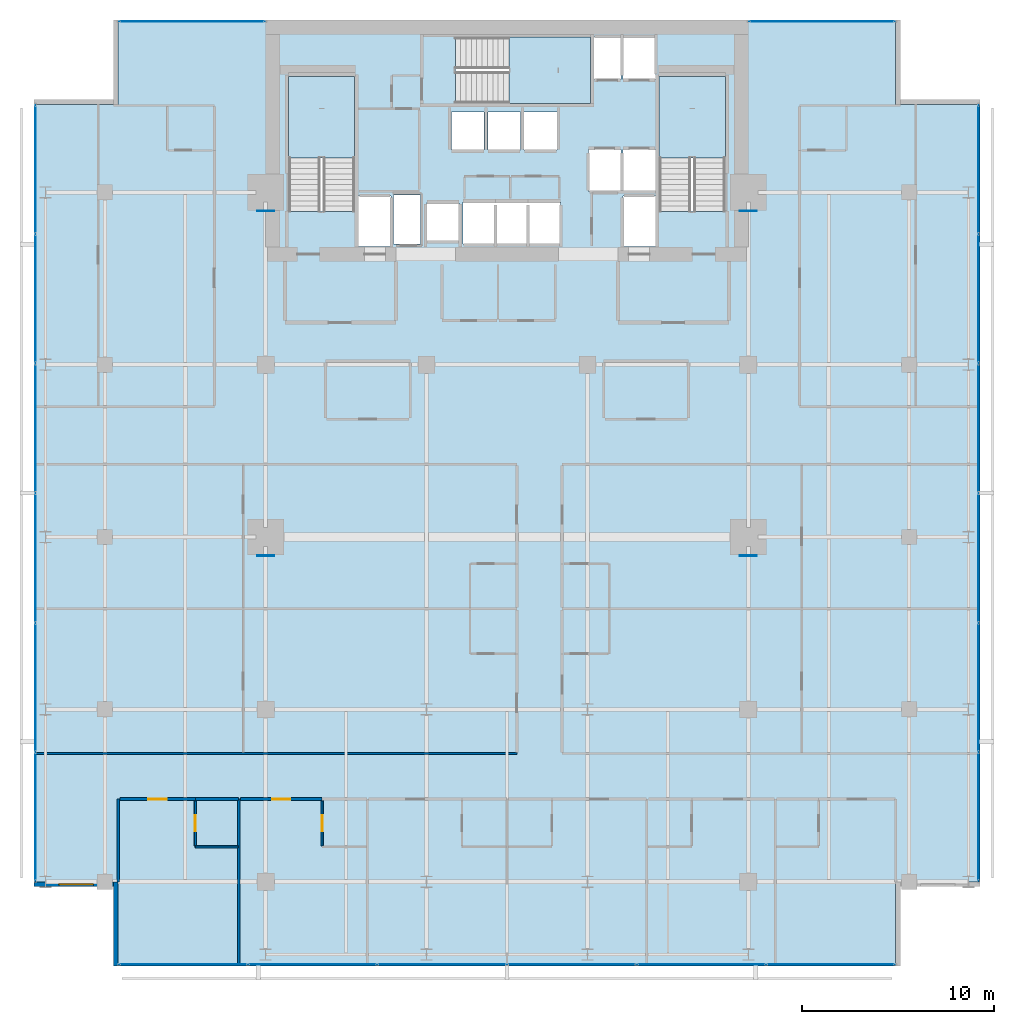
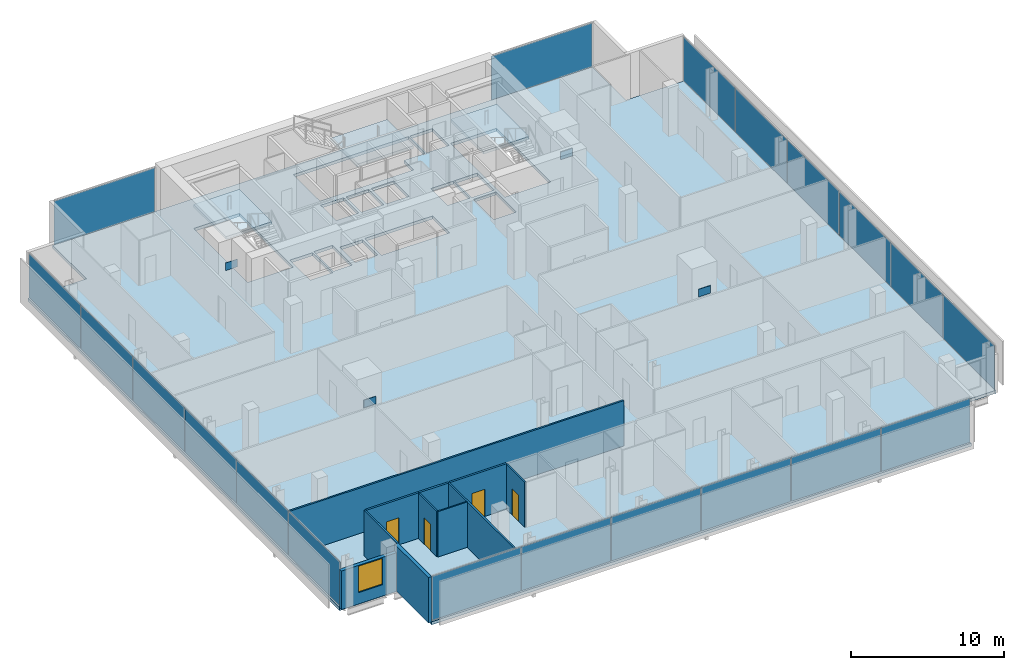
# One storey, part 26 of 33: 24 plates, 11 walls, 4 doors, 4 slabs, 1 window, 5 openings, 8 elements without a shape of their own.
"""IFC4 building model written with IfcOpenShell, lengths in metres."""

from ifc_helpers import new_model, si_unit, direction, frame, frame_2d, origin, origin_2d, place, context, subcontext, project, spatial, polyline, rectangle, outline, extrude, material, layer, layer_set, type_object, element, fill, aggregate, save


model = new_model("IFC4")

# Units and contexts
model_context = context("Model", 3, precision=1e-05, world=origin(), true_north=direction((0.0, 1.0)))
body_context = subcontext(model_context, "Body", "Model", "MODEL_VIEW")
ifc_project = project(units=[si_unit("LENGTHUNIT", "METRE"), si_unit("AREAUNIT", "SQUARE_METRE"), si_unit("VOLUMEUNIT", "CUBIC_METRE"), si_unit("PLANEANGLEUNIT", "RADIAN"), si_unit("MASSUNIT", "GRAM", prefix="KILO")], contexts=[model_context])

# Site, building, storey
site_placement = place(None, origin())
site = spatial("IfcSite", under=ifc_project, at=site_placement, CompositionType="ELEMENT")
building_placement = place(site_placement, origin())
building = spatial("IfcBuilding", under=site, at=building_placement, Name="Maruvema Waterfront Hotel and Observation Tower", CompositionType="ELEMENT")
storey_placement = place(building_placement, frame((0.0, 0.0, 204.39990234375)))
storey = spatial("IfcBuildingStorey", under=building, at=storey_placement, Name="L50", CompositionType="ELEMENT", Elevation=204.39990234375)

# Slab
ifc_material_1 = material(Name="Concrete C50/60", Category="concrete")
ifc_layer_1 = layer(ifc_material_1, 0.239990234375, Name="Reinforced Concrete Floor Slab 240 mm")
ifc_layer_set_1 = layer_set([ifc_layer_1], Name="Concrete C50/60")
slab_type_1 = type_object("IfcSlabType", Name="Reinforced Concrete Floor Slab 240 mm", PredefinedType="FLOOR", material=ifc_layer_set_1)
slab_1_placement = place(storey_placement, frame((0.0, 0.0, -0.239990234375)))
element("IfcSlab", 1, at=slab_1_placement, inside=storey, type_object=slab_type_1, Name="L50 Structural Floor Slab", PredefinedType="FLOOR", context=body_context, shape_type="SweptSolid", body=[
    extrude(outline(polyline([(17.5, 4.60009765625), (58.10009765625, 4.60009765625), (58.10009765625, 9.0), (62.5, 9.0), (62.5, 49.60009765625), (58.10009765625, 49.60009765625), (58.10009765625, 54.0), (17.5, 54.0), (17.5, 49.60009765625), (13.10009765625, 49.60009765625), (13.10009765625, 9.0), (17.5, 9.0), (17.5, 4.60009765625)]), holes=[polyline([(26.39990234375, 44.00048828125), (26.39990234375, 51.050048828125), (29.85009765625, 51.050048828125), (29.85009765625, 44.00048828125), (26.39990234375, 44.00048828125)]), polyline([(30.050048828125, 44.800048828125), (31.75, 44.800048828125), (31.75, 42.169921875), (30.050048828125, 42.169921875), (30.050048828125, 44.800048828125)]), polyline([(31.8798828125, 44.860107421875), (33.280029296875, 44.860107421875), (33.280029296875, 42.2900390625), (31.8798828125, 42.2900390625), (31.8798828125, 44.860107421875)]), polyline([(33.60009765625, 44.449951171875), (35.300048828125, 44.449951171875), (35.300048828125, 42.449951171875), (33.60009765625, 42.449951171875), (33.60009765625, 44.449951171875)]), polyline([(34.89990234375, 49.199951171875), (36.60009765625, 49.199951171875), (36.60009765625, 47.199951171875), (34.89990234375, 47.199951171875), (34.89990234375, 49.199951171875)]), polyline([(36.800048828125, 49.199951171875), (38.5, 49.199951171875), (38.5, 47.199951171875), (36.800048828125, 47.199951171875), (36.800048828125, 49.199951171875)]), polyline([(35.5, 42.300048828125), (35.5, 44.5), (40.60009765625, 44.5), (40.60009765625, 42.300048828125), (35.5, 42.300048828125)]), polyline([(35.1005859375, 53.10009765625), (43.75, 53.10009765625), (43.75, 50.89990234375), (42.14990234375, 50.89990234375), (42.14990234375, 49.64990234375), (35.1005859375, 49.64990234375), (35.1005859375, 53.10009765625)]), polyline([(38.699951171875, 49.199951171875), (40.39990234375, 49.199951171875), (40.39990234375, 47.199951171875), (38.699951171875, 47.199951171875), (38.699951171875, 49.199951171875)]), polyline([(42.050048828125, 47.25), (43.75, 47.25), (43.75, 45.050048828125), (42.050048828125, 45.050048828125), (42.050048828125, 47.25)]), polyline([(43.85009765625, 44.800048828125), (45.550048828125, 44.800048828125), (45.550048828125, 42.169921875), (43.85009765625, 42.169921875), (43.85009765625, 44.800048828125)]), polyline([(43.85009765625, 47.25), (45.550048828125, 47.25), (45.550048828125, 45.050048828125), (43.85009765625, 45.050048828125), (43.85009765625, 47.25)]), polyline([(45.550048828125, 53.10009765625), (45.550048828125, 50.89990234375), (43.85009765625, 50.89990234375), (43.85009765625, 53.10009765625), (45.550048828125, 53.10009765625)]), polyline([(45.75, 44.00048828125), (45.75, 51.050048828125), (49.199951171875, 51.050048828125), (49.199951171875, 44.00048828125), (45.75, 44.00048828125)])]), origin(), (0.0, 0.0, 1.0), 0.239990234375),
])

# Curtain wall, plates
ifc_material_2 = material(Name="Anodised bronze aluminium and solar-control low-E IGU", Category="aluminium")
ifc_layer_2 = layer(ifc_material_2, 0.159912109375, Name="Zone 2 Amber Inner Thermal Curtain Wall System CW-03")
ifc_layer_set_2 = layer_set([ifc_layer_2], Name="Anodised bronze aluminium and solar-control low-E IGU")
curtain_wall_type = type_object("IfcCurtainWallType", Name="Zone 2 Amber Inner Thermal Curtain Wall System CW-03", PredefinedType="USERDEFINED", material=ifc_layer_set_2)
curtain_wall_1_placement = place(storey_placement, origin())
curtain_wall_1 = element("IfcCurtainWall", 2, at=curtain_wall_1_placement, inside=storey, type_object=curtain_wall_type, Name="L50 Curtain Wall CW-L50-S", ObjectType="UNITISED CURTAIN WALL", PredefinedType="USERDEFINED")
ifc_material_3 = material(Name="Laminated low-E solar-control double glazing", Category="glass")
ifc_layer_3 = layer(ifc_material_3, 0.035888671875, Name="Solar Control Double-Glazed Curtain Panel 36 mm")
ifc_layer_set_3 = layer_set([ifc_layer_3], Name="Laminated low-E solar-control double glazing")
plate_type_1 = type_object("IfcPlateType", Name="Solar Control Double-Glazed Curtain Panel 36 mm", PredefinedType="CURTAIN_PANEL", material=ifc_layer_set_3)
plate_1_placement = place(storey_placement, frame((20.8984375, 4.679931640625, 0.06005859375), z_axis=(0.0, 0.0, 1.0), x_axis=(1.0, 0.0, 0.0)))
plate_1 = element("IfcPlate", 3, at=plate_1_placement, type_object=plate_type_1, Name="CW-03 panel 1.1", PredefinedType="CURTAIN_PANEL", context=body_context, shape_type="SweptSolid", body=[
    extrude(rectangle(XDim=6.6767578125, YDim=0.028076171875, at=origin_2d()), origin(), (0.0, 0.0, 1.0), 3.489990234375),
])
plate_2_placement = place(storey_placement, frame((27.64990234375, 4.679931640625, 0.06005859375), z_axis=(0.0, 0.0, 1.0), x_axis=(1.0, 0.0, 0.0)))
plate_2 = element("IfcPlate", 4, at=plate_2_placement, type_object=plate_type_1, Name="CW-03 panel 2.1", PredefinedType="CURTAIN_PANEL", context=body_context, shape_type="SweptSolid", body=[
    extrude(rectangle(XDim=6.706787109375, YDim=0.028076171875, at=origin_2d()), origin(), (0.0, 0.0, 1.0), 3.489990234375),
])
plate_3_placement = place(storey_placement, frame((34.416748046875, 4.679931640625, 0.06005859375), z_axis=(0.0, 0.0, 1.0), x_axis=(1.0, 0.0, 0.0)))
plate_3 = element("IfcPlate", 5, at=plate_3_placement, type_object=plate_type_1, Name="CW-03 panel 3.1", PredefinedType="CURTAIN_PANEL", context=body_context, shape_type="SweptSolid", body=[
    extrude(rectangle(XDim=6.706787109375, YDim=0.028076171875, at=origin_2d()), origin(), (0.0, 0.0, 1.0), 3.489990234375),
])
plate_4_placement = place(storey_placement, frame((41.183349609375, 4.679931640625, 0.06005859375), z_axis=(0.0, 0.0, 1.0), x_axis=(1.0, 0.0, 0.0)))
plate_4 = element("IfcPlate", 6, at=plate_4_placement, type_object=plate_type_1, Name="CW-03 panel 4.1", PredefinedType="CURTAIN_PANEL", context=body_context, shape_type="SweptSolid", body=[
    extrude(rectangle(XDim=6.706787109375, YDim=0.028076171875, at=origin_2d()), origin(), (0.0, 0.0, 1.0), 3.489990234375),
])
plate_5_placement = place(storey_placement, frame((47.949951171875, 4.679931640625, 0.06005859375), z_axis=(0.0, 0.0, 1.0), x_axis=(1.0, 0.0, 0.0)))
plate_5 = element("IfcPlate", 7, at=plate_5_placement, type_object=plate_type_1, Name="CW-03 panel 5.1", PredefinedType="CURTAIN_PANEL", context=body_context, shape_type="SweptSolid", body=[
    extrude(rectangle(XDim=6.706787109375, YDim=0.028076171875, at=origin_2d()), origin(), (0.0, 0.0, 1.0), 3.489990234375),
])
plate_6_placement = place(storey_placement, frame((54.70166015625, 4.679931640625, 0.06005859375), z_axis=(0.0, 0.0, 1.0), x_axis=(1.0, 0.0, 0.0)))
plate_6 = element("IfcPlate", 8, at=plate_6_placement, type_object=plate_type_1, Name="CW-03 panel 6.1", PredefinedType="CURTAIN_PANEL", context=body_context, shape_type="SweptSolid", body=[
    extrude(rectangle(XDim=6.6767578125, YDim=0.028076171875, at=origin_2d()), origin(), (0.0, 0.0, 1.0), 3.489990234375),
])
aggregate(curtain_wall_1, [plate_1, plate_2, plate_3, plate_4, plate_5, plate_6])

curtain_wall_2_placement = place(storey_placement, origin())
curtain_wall_2 = element("IfcCurtainWall", 9, at=curtain_wall_2_placement, inside=storey, type_object=curtain_wall_type, Name="L50 Curtain Wall CW-L50-E", ObjectType="UNITISED CURTAIN WALL", PredefinedType="USERDEFINED")
plate_7_placement = place(storey_placement, frame((62.419921875, 12.3984375, 0.06005859375), z_axis=(0.0, 0.0, 1.0), x_axis=(0.0, 1.0, 0.0)))
plate_7 = element("IfcPlate", 10, at=plate_7_placement, type_object=plate_type_1, Name="CW-03 panel 1.1", PredefinedType="CURTAIN_PANEL", context=body_context, shape_type="SweptSolid", body=[
    extrude(rectangle(XDim=6.6767578125, YDim=0.028076171875, at=origin_2d()), origin(), (0.0, 0.0, 1.0), 3.489990234375),
])
plate_8_placement = place(storey_placement, frame((62.419921875, 19.14990234375, 0.06005859375), z_axis=(0.0, 0.0, 1.0), x_axis=(0.0, 1.0, 0.0)))
plate_8 = element("IfcPlate", 11, at=plate_8_placement, type_object=plate_type_1, Name="CW-03 panel 2.1", PredefinedType="CURTAIN_PANEL", context=body_context, shape_type="SweptSolid", body=[
    extrude(rectangle(XDim=6.706787109375, YDim=0.028076171875, at=origin_2d()), origin(), (0.0, 0.0, 1.0), 3.489990234375),
])
plate_9_placement = place(storey_placement, frame((62.419921875, 25.916748046875, 0.06005859375), z_axis=(0.0, 0.0, 1.0), x_axis=(0.0, 1.0, 0.0)))
plate_9 = element("IfcPlate", 12, at=plate_9_placement, type_object=plate_type_1, Name="CW-03 panel 3.1", PredefinedType="CURTAIN_PANEL", context=body_context, shape_type="SweptSolid", body=[
    extrude(rectangle(XDim=6.706787109375, YDim=0.028076171875, at=origin_2d()), origin(), (0.0, 0.0, 1.0), 3.489990234375),
])
plate_10_placement = place(storey_placement, frame((62.419921875, 32.683349609375, 0.06005859375), z_axis=(0.0, 0.0, 1.0), x_axis=(0.0, 1.0, 0.0)))
plate_10 = element("IfcPlate", 13, at=plate_10_placement, type_object=plate_type_1, Name="CW-03 panel 4.1", PredefinedType="CURTAIN_PANEL", context=body_context, shape_type="SweptSolid", body=[
    extrude(rectangle(XDim=6.706787109375, YDim=0.028076171875, at=origin_2d()), origin(), (0.0, 0.0, 1.0), 3.489990234375),
])
plate_11_placement = place(storey_placement, frame((62.419921875, 39.449951171875, 0.06005859375), z_axis=(0.0, 0.0, 1.0), x_axis=(0.0, 1.0, 0.0)))
plate_11 = element("IfcPlate", 14, at=plate_11_placement, type_object=plate_type_1, Name="CW-03 panel 5.1", PredefinedType="CURTAIN_PANEL", context=body_context, shape_type="SweptSolid", body=[
    extrude(rectangle(XDim=6.706787109375, YDim=0.028076171875, at=origin_2d()), origin(), (0.0, 0.0, 1.0), 3.489990234375),
])
plate_12_placement = place(storey_placement, frame((62.419921875, 46.20166015625, 0.06005859375), z_axis=(0.0, 0.0, 1.0), x_axis=(0.0, 1.0, 0.0)))
plate_12 = element("IfcPlate", 15, at=plate_12_placement, type_object=plate_type_1, Name="CW-03 panel 6.1", PredefinedType="CURTAIN_PANEL", context=body_context, shape_type="SweptSolid", body=[
    extrude(rectangle(XDim=6.6767578125, YDim=0.028076171875, at=origin_2d()), origin(), (0.0, 0.0, 1.0), 3.489990234375),
])
aggregate(curtain_wall_2, [plate_7, plate_8, plate_9, plate_10, plate_11, plate_12])

curtain_wall_3_placement = place(storey_placement, origin())
curtain_wall_3 = element("IfcCurtainWall", 16, at=curtain_wall_3_placement, inside=storey, type_object=curtain_wall_type, Name="L50 Curtain Wall CW-L50-W", ObjectType="UNITISED CURTAIN WALL", PredefinedType="USERDEFINED")
plate_13_placement = place(storey_placement, frame((13.179931640625, 46.20166015625, 0.06005859375), z_axis=(0.0, 0.0, 1.0), x_axis=(0.0, -1.0, 0.0)))
plate_13 = element("IfcPlate", 17, at=plate_13_placement, type_object=plate_type_1, Name="CW-03 panel 1.1", PredefinedType="CURTAIN_PANEL", context=body_context, shape_type="SweptSolid", body=[
    extrude(rectangle(XDim=6.6767578125, YDim=0.028076171875, at=origin_2d()), origin(), (0.0, 0.0, 1.0), 3.489990234375),
])
plate_14_placement = place(storey_placement, frame((13.179931640625, 39.449951171875, 0.06005859375), z_axis=(0.0, 0.0, 1.0), x_axis=(0.0, -1.0, 0.0)))
plate_14 = element("IfcPlate", 18, at=plate_14_placement, type_object=plate_type_1, Name="CW-03 panel 2.1", PredefinedType="CURTAIN_PANEL", context=body_context, shape_type="SweptSolid", body=[
    extrude(rectangle(XDim=6.706787109375, YDim=0.028076171875, at=origin_2d()), origin(), (0.0, 0.0, 1.0), 3.489990234375),
])
plate_15_placement = place(storey_placement, frame((13.179931640625, 32.683349609375, 0.06005859375), z_axis=(0.0, 0.0, 1.0), x_axis=(0.0, -1.0, 0.0)))
plate_15 = element("IfcPlate", 19, at=plate_15_placement, type_object=plate_type_1, Name="CW-03 panel 3.1", PredefinedType="CURTAIN_PANEL", context=body_context, shape_type="SweptSolid", body=[
    extrude(rectangle(XDim=6.706787109375, YDim=0.028076171875, at=origin_2d()), origin(), (0.0, 0.0, 1.0), 3.489990234375),
])
plate_16_placement = place(storey_placement, frame((13.179931640625, 25.916748046875, 0.06005859375), z_axis=(0.0, 0.0, 1.0), x_axis=(0.0, -1.0, 0.0)))
plate_16 = element("IfcPlate", 20, at=plate_16_placement, type_object=plate_type_1, Name="CW-03 panel 4.1", PredefinedType="CURTAIN_PANEL", context=body_context, shape_type="SweptSolid", body=[
    extrude(rectangle(XDim=6.706787109375, YDim=0.028076171875, at=origin_2d()), origin(), (0.0, 0.0, 1.0), 3.489990234375),
])
plate_17_placement = place(storey_placement, frame((13.179931640625, 19.14990234375, 0.06005859375), z_axis=(0.0, 0.0, 1.0), x_axis=(0.0, -1.0, 0.0)))
plate_17 = element("IfcPlate", 21, at=plate_17_placement, type_object=plate_type_1, Name="CW-03 panel 5.1", PredefinedType="CURTAIN_PANEL", context=body_context, shape_type="SweptSolid", body=[
    extrude(rectangle(XDim=6.706787109375, YDim=0.028076171875, at=origin_2d()), origin(), (0.0, 0.0, 1.0), 3.489990234375),
])
plate_18_placement = place(storey_placement, frame((13.179931640625, 12.3984375, 0.06005859375), z_axis=(0.0, 0.0, 1.0), x_axis=(0.0, -1.0, 0.0)))
plate_18 = element("IfcPlate", 22, at=plate_18_placement, type_object=plate_type_1, Name="CW-03 panel 6.1", PredefinedType="CURTAIN_PANEL", context=body_context, shape_type="SweptSolid", body=[
    extrude(rectangle(XDim=6.6767578125, YDim=0.028076171875, at=origin_2d()), origin(), (0.0, 0.0, 1.0), 3.489990234375),
])
aggregate(curtain_wall_3, [plate_13, plate_14, plate_15, plate_16, plate_17, plate_18])

# Curtain wall, plate
curtain_wall_4_placement = place(storey_placement, origin())
curtain_wall_4 = element("IfcCurtainWall", 23, at=curtain_wall_4_placement, inside=storey, type_object=curtain_wall_type, Name="L50 Curtain Wall CW-L50-NW", ObjectType="UNITISED CURTAIN WALL", PredefinedType="USERDEFINED")
plate_19_placement = place(storey_placement, frame((21.35009765625, 53.919921875, 0.06005859375), z_axis=(0.0, 0.0, 1.0), x_axis=(-1.0, 0.0, 0.0)))
plate_19 = element("IfcPlate", 24, at=plate_19_placement, type_object=plate_type_1, Name="CW-03 panel 1.1", PredefinedType="CURTAIN_PANEL", context=body_context, shape_type="SweptSolid", body=[
    extrude(rectangle(XDim=7.580078125, YDim=0.028076171875, at=origin_2d()), origin(), (0.0, 0.0, 1.0), 3.489990234375),
])
aggregate(curtain_wall_4, [plate_19])

curtain_wall_5_placement = place(storey_placement, origin())
curtain_wall_5 = element("IfcCurtainWall", 25, at=curtain_wall_5_placement, inside=storey, type_object=curtain_wall_type, Name="L50 Curtain Wall CW-L50-NE", ObjectType="UNITISED CURTAIN WALL", PredefinedType="USERDEFINED")
plate_20_placement = place(storey_placement, frame((54.25, 53.919921875, 0.06005859375), z_axis=(0.0, 0.0, 1.0), x_axis=(-1.0, 0.0, 0.0)))
plate_20 = element("IfcPlate", 26, at=plate_20_placement, type_object=plate_type_1, Name="CW-03 panel 1.1", PredefinedType="CURTAIN_PANEL", context=body_context, shape_type="SweptSolid", body=[
    extrude(rectangle(XDim=7.580078125, YDim=0.028076171875, at=origin_2d()), origin(), (0.0, 0.0, 1.0), 3.489990234375),
])
aggregate(curtain_wall_5, [plate_20])

# Stair, slab
ifc_material_4 = material(Name="Concrete C50/60", Category="concrete")
stair_type = type_object("IfcStairType", Name="Dogleg Exit Stair 1650 mm (22R x 175.0 mm)", PredefinedType="HALF_TURN_STAIR", material=ifc_material_4)
stair_1_placement = place(storey_placement, origin())
stair_1 = element("IfcStair", 27, at=stair_1_placement, inside=storey, type_object=stair_type, Name="L50 ST-01", PredefinedType="HALF_TURN_STAIR")
ifc_material_5 = material(Name="Concrete C50/60", Category="concrete")
ifc_layer_4 = layer(ifc_material_5, 0.219970703125, Name="Stair Concrete Landing Slab 220 mm")
ifc_layer_set_4 = layer_set([ifc_layer_4], Name="Concrete C50/60")
slab_type_2 = type_object("IfcSlabType", Name="Stair Concrete Landing Slab 220 mm", PredefinedType="LANDING", material=ifc_layer_set_4)
slab_2_placement = place(storey_placement, frame((0.0, 0.0, 1.705078125)))
slab_2 = element("IfcSlab", 28, at=slab_2_placement, type_object=slab_type_2, Name="ST-01 landing 1", PredefinedType="LANDING", context=body_context, shape_type="SweptSolid", body=[
    extrude(outline(polyline([(29.85009765625, 46.800048828125), (29.85009765625, 51.050048828125), (26.39990234375, 51.050048828125), (26.39990234375, 46.800048828125), (29.85009765625, 46.800048828125)])), origin(), (0.0, 0.0, 1.0), 0.219970703125),
])
aggregate(stair_1, [slab_2])

stair_2_placement = place(storey_placement, origin())
stair_2 = element("IfcStair", 29, at=stair_2_placement, inside=storey, type_object=stair_type, Name="L50 ST-02", PredefinedType="HALF_TURN_STAIR")
slab_3_placement = place(storey_placement, frame((0.0, 0.0, 1.705078125)))
slab_3 = element("IfcSlab", 30, at=slab_3_placement, type_object=slab_type_2, Name="ST-02 landing 1", PredefinedType="LANDING", context=body_context, shape_type="SweptSolid", body=[
    extrude(outline(polyline([(37.89990234375, 49.64990234375), (42.14990234375, 49.64990234375), (42.14990234375, 53.10009765625), (37.89990234375, 53.10009765625), (37.89990234375, 49.64990234375)])), origin(), (0.0, 0.0, 1.0), 0.219970703125),
])
aggregate(stair_2, [slab_3])

stair_3_placement = place(storey_placement, origin())
stair_3 = element("IfcStair", 31, at=stair_3_placement, inside=storey, type_object=stair_type, Name="L50 ST-03", PredefinedType="HALF_TURN_STAIR")
slab_4_placement = place(storey_placement, frame((0.0, 0.0, 1.705078125)))
slab_4 = element("IfcSlab", 32, at=slab_4_placement, type_object=slab_type_2, Name="ST-03 landing 1", PredefinedType="LANDING", context=body_context, shape_type="SweptSolid", body=[
    extrude(outline(polyline([(49.199951171875, 46.800048828125), (49.199951171875, 51.050048828125), (45.75, 51.050048828125), (45.75, 46.800048828125), (49.199951171875, 46.800048828125)])), origin(), (0.0, 0.0, 1.0), 0.219970703125),
])
aggregate(stair_3, [slab_4])

# Plates
ifc_material_6 = material(Name="Steel ABNT NBR 7007 AR 415 (ASTM A572 Grade 50)", Category="steel")
ifc_layer_5 = layer(ifc_material_6, 0.0400390625, Name="Structural Truss Node Gusset Plate 40 mm")
ifc_layer_set_5 = layer_set([ifc_layer_5], Name="Steel ABNT NBR 7007 AR 415 (ASTM A572 Grade 50)")
plate_type_2 = type_object("IfcPlateType", Name="Structural Truss Node Gusset Plate 40 mm", PredefinedType="USERDEFINED", material=ifc_layer_set_5)
for number, where, z_axis, x_axis, name in (
    (33, (25.199951171875, 26.030029296875, 1.5), (0.0, 0.0, 1.0), (1.0, 0.0, 0.0), "L50 MC-01 Moment Frame Continuity Gusset Plate"),
    (34, (50.39990234375, 26.030029296875, 1.5), (0.0, 0.0, 1.0), (1.0, 0.0, 0.0), "L50 MC-02 Moment Frame Continuity Gusset Plate"),
    (35, (25.199951171875, 44.030029296875, 1.5), (0.0, 0.0, 1.0), (1.0, 0.0, 0.0), "L50 MC-03 Moment Frame Continuity Gusset Plate"),
    (36, (50.39990234375, 44.030029296875, 1.5), (0.0, 0.0, 1.0), (1.0, 0.0, 0.0), "L50 MC-04 Moment Frame Continuity Gusset Plate"),
):
    element("IfcPlate", number, at=place(storey_placement, frame(where, z_axis=z_axis, x_axis=x_axis)), inside=storey, type_object=plate_type_2, Name=name, ObjectType="GUSSET_PLATE", PredefinedType="USERDEFINED", context=body_context, shape_type="SweptSolid", body=[
        extrude(rectangle(XDim=0.89990234375, YDim=0.0400390625, at=origin_2d()), origin(), (0.0, 0.0, 1.0), 0.60009765625),
    ])

# Wall
ifc_material_7 = material(Name="Twin-stud acoustic gypsum drywall", Category="gypsum")
ifc_layer_6 = layer(ifc_material_7, 0.14990234375, Name="Acoustic Corridor and Suite Demising Wall 150 mm")
ifc_layer_set_6 = layer_set([ifc_layer_6], Name="Twin-stud acoustic gypsum drywall")
wall_type_1 = type_object("IfcWallType", Name="Acoustic Corridor and Suite Demising Wall 150 mm", PredefinedType="PARTITIONING", material=ifc_layer_set_6)
wall_1_placement = place(storey_placement, frame((21.530029296875, 13.320068359375, 0.0), z_axis=(0.0, 0.0, 1.0), x_axis=(1.0, 0.0, 0.0)))
element("IfcWall", 37, at=wall_1_placement, inside=storey, type_object=wall_type_1, Name="L50 Bath L50-S1 Back Wall 037", PredefinedType="PARTITIONING", context=body_context, shape_type="SweptSolid", body=[
    extrude(rectangle(XDim=2.25, YDim=0.14990234375, at=frame_2d((1.125, 0.0))), origin(), (0.0, 0.0, 1.0), 3.610107421875),
])

# Wall, opening, door
wall_2_placement = place(storey_placement, frame((17.580078125, 13.320068359375, 0.0), z_axis=(0.0, 0.0, 1.0), x_axis=(1.0, 0.0, 0.0)))
wall_2 = element("IfcWall", 38, at=wall_2_placement, inside=storey, type_object=wall_type_1, Name="L50 Unit L50-S1 Corridor Wall 040", PredefinedType="PARTITIONING", context=body_context, shape_type="SweptSolid", body=[
    extrude(rectangle(XDim=3.949951171875, YDim=0.14990234375, at=frame_2d((1.97509765625, 0.0))), origin(), (0.0, 0.0, 1.0), 3.610107421875),
])
opening_1_placement = place(wall_2_placement, frame((1.5, 0.0, 0.0)))
opening_1 = element("IfcOpeningElement", 39, at=opening_1_placement, cuts=wall_2, Name="Opening DR-095", PredefinedType="OPENING", context=body_context, shape_type="SweptSolid", body=[
    extrude(rectangle(XDim=0.949951171875, YDim=2.14990234375, at=frame_2d((0.47509765625, 1.074951171875))), frame((0.0, 0.0849609375, 0.0), z_axis=(0.0, -1.0, 0.0), x_axis=(1.0, 0.0, 0.0)), (0.0, 0.0, 1.0), 0.169921875),
])
ifc_material_8 = material(Name="Acoustic solid-core hardwood timber leaf", Category="wood")
door_type_1 = type_object("IfcDoorType", Name="Guestroom Entrance Fire Door 950x2150 mm", OperationType="NOTDEFINED", PredefinedType="DOOR", material=ifc_material_8)
door_1_placement = place(opening_1_placement, frame((0.949951171875, 0.0, 0.0), z_axis=(0.0, 0.0, 1.0), x_axis=(-1.0, 0.0, 0.0)))
door_1 = element("IfcDoor", 40, at=door_1_placement, inside=storey, type_object=door_type_1, Name="L50 Unit L50-S1 Entrance Door", OperationType="SINGLE_SWING_LEFT", OverallHeight=2.14990234375, OverallWidth=0.949951171875, PredefinedType="DOOR", context=body_context, shape_type="SweptSolid", body=[
    extrude(rectangle(XDim=0.949951171875, YDim=2.14990234375, at=frame_2d((0.47509765625, 1.074951171875))), frame((0.0, 0.02490234375, 0.0), z_axis=(0.0, -1.0, 0.0), x_axis=(1.0, 0.0, 0.0)), (0.0, 0.0, 1.0), 0.050048828125),
])
fill(opening_1, door_1)

wall_3_placement = place(storey_placement, frame((23.8798828125, 13.320068359375, 0.0), z_axis=(0.0, 0.0, 1.0), x_axis=(1.0, 0.0, 0.0)))
wall_3 = element("IfcWall", 41, at=wall_3_placement, inside=storey, type_object=wall_type_1, Name="L50 Unit L50-S2 Corridor Wall 045", PredefinedType="PARTITIONING", context=body_context, shape_type="SweptSolid", body=[
    extrude(rectangle(XDim=4.27001953125, YDim=0.14990234375, at=frame_2d((2.135009765625, 0.0))), origin(), (0.0, 0.0, 1.0), 3.610107421875),
])
opening_2_placement = place(wall_3_placement, frame((1.659912109375, 0.0, 0.0)))
opening_2 = element("IfcOpeningElement", 42, at=opening_2_placement, cuts=wall_3, Name="Opening DR-095", PredefinedType="OPENING", context=body_context, shape_type="SweptSolid", body=[
    extrude(rectangle(XDim=0.949951171875, YDim=2.14990234375, at=frame_2d((0.47509765625, 1.074951171875))), frame((0.0, 0.0849609375, 0.0), z_axis=(0.0, -1.0, 0.0), x_axis=(1.0, 0.0, 0.0)), (0.0, 0.0, 1.0), 0.169921875),
])
door_2_placement = place(opening_2_placement, frame((0.949951171875, 0.0, 0.0), z_axis=(0.0, 0.0, 1.0), x_axis=(-1.0, 0.0, 0.0)))
door_2 = element("IfcDoor", 43, at=door_2_placement, inside=storey, type_object=door_type_1, Name="L50 Unit L50-S2 Entrance Door", OperationType="SINGLE_SWING_LEFT", OverallHeight=2.14990234375, OverallWidth=0.949951171875, PredefinedType="DOOR", context=body_context, shape_type="SweptSolid", body=[
    extrude(rectangle(XDim=0.949951171875, YDim=2.14990234375, at=frame_2d((0.47509765625, 1.074951171875))), frame((0.0, 0.02490234375, 0.0), z_axis=(0.0, -1.0, 0.0), x_axis=(1.0, 0.0, 0.0)), (0.0, 0.0, 1.0), 0.050048828125),
])
fill(opening_2, door_2)

# Wall
ifc_material_9 = material(Name="Moisture-resistant cement-board drywall", Category="gypsum")
ifc_layer_7 = layer(ifc_material_9, 0.10009765625, Name="En-Suite Moisture-Resistant Partition 100 mm")
ifc_layer_set_7 = layer_set([ifc_layer_7], Name="Moisture-resistant cement-board drywall")
wall_type_2 = type_object("IfcWallType", Name="En-Suite Moisture-Resistant Partition 100 mm", PredefinedType="PARTITIONING", material=ifc_layer_set_7)
wall_4_placement = place(storey_placement, frame((21.530029296875, 10.820068359375, 0.0), z_axis=(0.0, 0.0, 1.0), x_axis=(1.0, 0.0, 0.0)))
element("IfcWall", 44, at=wall_4_placement, inside=storey, type_object=wall_type_2, Name="L50 En-Suite L50-S1 South 038", PredefinedType="PARTITIONING", context=body_context, shape_type="SweptSolid", body=[
    extrude(rectangle(XDim=2.22998046875, YDim=0.10009765625, at=frame_2d((1.114990234375, 0.0))), origin(), (0.0, 0.0, 1.0), 3.610107421875),
])

# Wall, opening, door
wall_5_placement = place(storey_placement, frame((21.530029296875, 10.8798828125, 0.0), z_axis=(0.0, 0.0, 1.0), x_axis=(0.0, 1.0, 0.0)))
wall_5 = element("IfcWall", 45, at=wall_5_placement, inside=storey, type_object=wall_type_2, Name="L50 En-Suite L50-S1 West 039", PredefinedType="PARTITIONING", context=body_context, shape_type="SweptSolid", body=[
    extrude(rectangle(XDim=2.340087890625, YDim=0.10009765625, at=frame_2d((1.169921875, 0.0))), origin(), (0.0, 0.0, 1.0), 3.610107421875),
])
opening_3_placement = place(wall_5_placement, frame((0.7451171875, 0.0, 0.0)))
opening_3 = element("IfcOpeningElement", 46, at=opening_3_placement, cuts=wall_5, Name="Opening DR-085", PredefinedType="OPENING", context=body_context, shape_type="SweptSolid", body=[
    extrude(rectangle(XDim=0.85009765625, YDim=2.10009765625, at=frame_2d((0.425048828125, 1.050048828125))), frame((0.0, 0.06005859375, 0.0), z_axis=(0.0, -1.0, 0.0), x_axis=(1.0, 0.0, 0.0)), (0.0, 0.0, 1.0), 0.1201171875),
])
ifc_material_10 = material(Name="Moisture-resistant solid timber leaf", Category="wood")
door_type_2 = type_object("IfcDoorType", Name="En-Suite Bathroom Door 850x2100 mm", OperationType="NOTDEFINED", PredefinedType="DOOR", material=ifc_material_10)
door_3_placement = place(opening_3_placement, origin())
door_3 = element("IfcDoor", 47, at=door_3_placement, inside=storey, type_object=door_type_2, Name="L50 En-Suite L50-S1 Door", OperationType="SINGLE_SWING_RIGHT", OverallHeight=2.10009765625, OverallWidth=0.85009765625, PredefinedType="DOOR", context=body_context, shape_type="SweptSolid", body=[
    extrude(rectangle(XDim=0.85009765625, YDim=2.10009765625, at=frame_2d((0.425048828125, 1.050048828125))), frame((0.0, 0.02490234375, 0.0), z_axis=(0.0, -1.0, 0.0), x_axis=(1.0, 0.0, 0.0)), (0.0, 0.0, 1.0), 0.050048828125),
])
fill(opening_3, door_3)

wall_6_placement = place(storey_placement, frame((28.14990234375, 10.8798828125, 0.0), z_axis=(0.0, 0.0, 1.0), x_axis=(0.0, 1.0, 0.0)))
wall_6 = element("IfcWall", 48, at=wall_6_placement, inside=storey, type_object=wall_type_2, Name="L50 En-Suite L50-S2 West 044", PredefinedType="PARTITIONING", context=body_context, shape_type="SweptSolid", body=[
    extrude(rectangle(XDim=2.340087890625, YDim=0.10009765625, at=frame_2d((1.169921875, 0.0))), origin(), (0.0, 0.0, 1.0), 3.610107421875),
])
opening_4_placement = place(wall_6_placement, frame((0.7451171875, 0.0, 0.0)))
opening_4 = element("IfcOpeningElement", 49, at=opening_4_placement, cuts=wall_6, Name="Opening DR-085", PredefinedType="OPENING", context=body_context, shape_type="SweptSolid", body=[
    extrude(rectangle(XDim=0.85009765625, YDim=2.10009765625, at=frame_2d((0.425048828125, 1.050048828125))), frame((0.0, 0.06005859375, 0.0), z_axis=(0.0, -1.0, 0.0), x_axis=(1.0, 0.0, 0.0)), (0.0, 0.0, 1.0), 0.1201171875),
])
door_4_placement = place(opening_4_placement, origin())
door_4 = element("IfcDoor", 50, at=door_4_placement, inside=storey, type_object=door_type_2, Name="L50 En-Suite L50-S2 Door", OperationType="SINGLE_SWING_RIGHT", OverallHeight=2.10009765625, OverallWidth=0.85009765625, PredefinedType="DOOR", context=body_context, shape_type="SweptSolid", body=[
    extrude(rectangle(XDim=0.85009765625, YDim=2.10009765625, at=frame_2d((0.425048828125, 1.050048828125))), frame((0.0, 0.02490234375, 0.0), z_axis=(0.0, -1.0, 0.0), x_axis=(1.0, 0.0, 0.0)), (0.0, 0.0, 1.0), 0.050048828125),
])
fill(opening_4, door_4)

# Wall
ifc_material_11 = material(Name="Precast concrete C45/55 with honed Pernambuco granite facing", Category="masonry")
ifc_layer_8 = layer(ifc_material_11, 0.260009765625, Name="Exterior Granite Clad Spandrel and Pier Wall 260 mm")
ifc_layer_set_8 = layer_set([ifc_layer_8], Name="Precast concrete C45/55 with honed Pernambuco granite facing")
wall_type_3 = type_object("IfcWallType", Name="Exterior Granite Clad Spandrel and Pier Wall 260 mm", PredefinedType="SOLIDWALL", material=ifc_layer_set_8)
wall_7_placement = place(storey_placement, frame((17.3701171875, 4.60009765625, 0.0), z_axis=(0.0, 0.0, 1.0), x_axis=(0.0, 1.0, 0.0)))
element("IfcWall", 51, at=wall_7_placement, inside=storey, type_object=wall_type_3, Name="L50 Corner Notch Granite Pier Wall SW1", PredefinedType="SOLIDWALL", context=body_context, shape_type="SweptSolid", body=[
    extrude(rectangle(XDim=4.39990234375, YDim=0.260009765625, at=frame_2d((2.199951171875, 0.0))), origin(), (0.0, 0.0, 1.0), 3.610107421875),
])

# Wall, opening, window
wall_8_placement = place(storey_placement, frame((17.5, 8.8701171875, 0.0), z_axis=(0.0, 0.0, 1.0), x_axis=(-1.0, 0.0, 0.0)))
wall_8 = element("IfcWall", 52, at=wall_8_placement, inside=storey, type_object=wall_type_3, Name="L50 Corner Notch Granite Pier Wall SW2", PredefinedType="SOLIDWALL", context=body_context, shape_type="SweptSolid", body=[
    extrude(rectangle(XDim=4.39990234375, YDim=0.260009765625, at=frame_2d((2.199951171875, 0.0))), origin(), (0.0, 0.0, 1.0), 3.071044921875),
])
opening_5_placement = place(wall_8_placement, frame((1.300048828125, 0.0, 0.89990234375)))
opening_5 = element("IfcOpeningElement", 53, at=opening_5_placement, cuts=wall_8, Name="Opening WN-02", PredefinedType="OPENING", context=body_context, shape_type="SweptSolid", body=[
    extrude(rectangle(XDim=1.800048828125, YDim=2.10009765625, at=frame_2d((0.89990234375, 1.050048828125))), frame((0.0, 0.14013671875, 0.0), z_axis=(0.0, -1.0, 0.0), x_axis=(1.0, 0.0, 0.0)), (0.0, 0.0, 1.0), 0.280029296875),
])
ifc_material_12 = material(Name="Anodised bronze aluminium frame with laminated low-E glass", Category="aluminium")
window_type = type_object("IfcWindowType", Name="Upper Notch Feature Window 1800x2100 mm", PartitioningType="SINGLE_PANEL", PredefinedType="WINDOW", material=ifc_material_12)
window_placement = place(opening_5_placement, origin())
window = element("IfcWindow", 54, at=window_placement, inside=storey, type_object=window_type, Name="L50 Corner Notch Punched Window SW2", OverallHeight=2.10009765625, OverallWidth=1.800048828125, PartitioningType="SINGLE_PANEL", PredefinedType="WINDOW", context=body_context, shape_type="SweptSolid", body=[
    extrude(rectangle(XDim=1.800048828125, YDim=2.10009765625, at=frame_2d((0.89990234375, 1.050048828125))), frame((0.0, 0.030029296875, 0.0), z_axis=(0.0, -1.0, 0.0), x_axis=(1.0, 0.0, 0.0)), (0.0, 0.0, 1.0), 0.06005859375),
])
fill(opening_5, window)

# Walls
ifc_material_13 = material(Name="Acoustic gypsum plasterboard drywall", Category="gypsum")
ifc_layer_9 = layer(ifc_material_13, 0.125, Name="Guestroom Acoustic Demising Wall 125 mm")
ifc_layer_set_9 = layer_set([ifc_layer_9], Name="Acoustic gypsum plasterboard drywall")
wall_type_4 = type_object("IfcWallType", Name="Guestroom Acoustic Demising Wall 125 mm", PredefinedType="PARTITIONING", material=ifc_layer_set_9)
wall_9_placement = place(storey_placement, frame((17.5, 9.0, 0.0), z_axis=(0.0, 0.0, 1.0), x_axis=(0.0, 1.0, 0.0)))
element("IfcWall", 55, at=wall_9_placement, inside=storey, type_object=wall_type_4, Name="L50 Z2 S West End 035", PredefinedType="PARTITIONING", context=body_context, shape_type="SweptSolid", body=[
    extrude(rectangle(XDim=4.320068359375, YDim=0.125, at=frame_2d((2.16015625, 0.0))), origin(), (0.0, 0.0, 1.0), 3.610107421875),
])
wall_10_placement = place(storey_placement, frame((23.800048828125, 4.699951171875, 0.0), z_axis=(0.0, 0.0, 1.0), x_axis=(0.0, 1.0, 0.0)))
element("IfcWall", 56, at=wall_10_placement, inside=storey, type_object=wall_type_4, Name="L50 Z2 S Demising 2 041", PredefinedType="PARTITIONING", context=body_context, shape_type="SweptSolid", body=[
    extrude(rectangle(XDim=8.6201171875, YDim=0.125, at=frame_2d((4.31005859375, 0.0))), origin(), (0.0, 0.0, 1.0), 3.610107421875),
])
wall_11_placement = place(storey_placement, frame((13.199951171875, 15.699951171875, 0.0), z_axis=(0.0, 0.0, 1.0), x_axis=(1.0, 0.0, 0.0)))
element("IfcWall", 57, at=wall_11_placement, inside=storey, type_object=wall_type_4, Name="L50 Z2 W Bot End 066", PredefinedType="PARTITIONING", context=body_context, shape_type="SweptSolid", body=[
    extrude(rectangle(XDim=25.1201171875, YDim=0.125, at=frame_2d((12.56005859375, 0.0))), origin(), (0.0, 0.0, 1.0), 3.610107421875),
])

save(model, "model.ifc")
